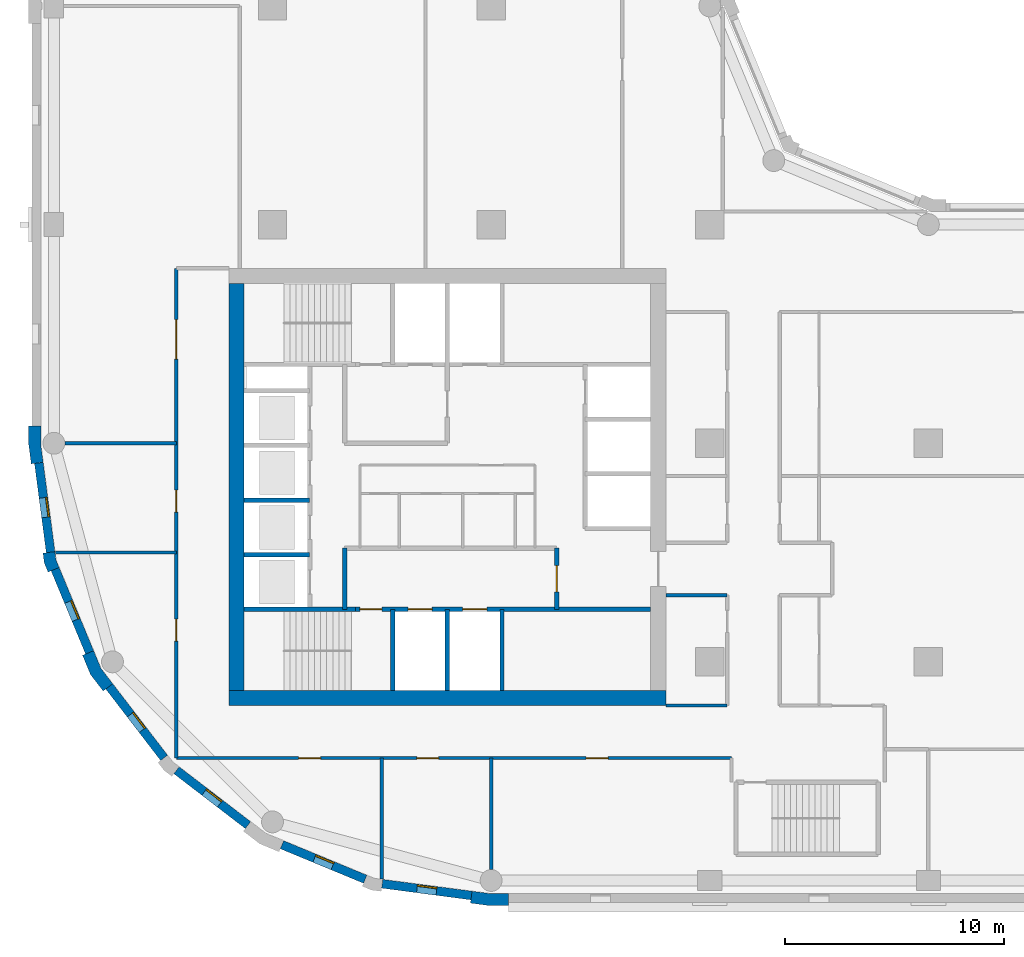
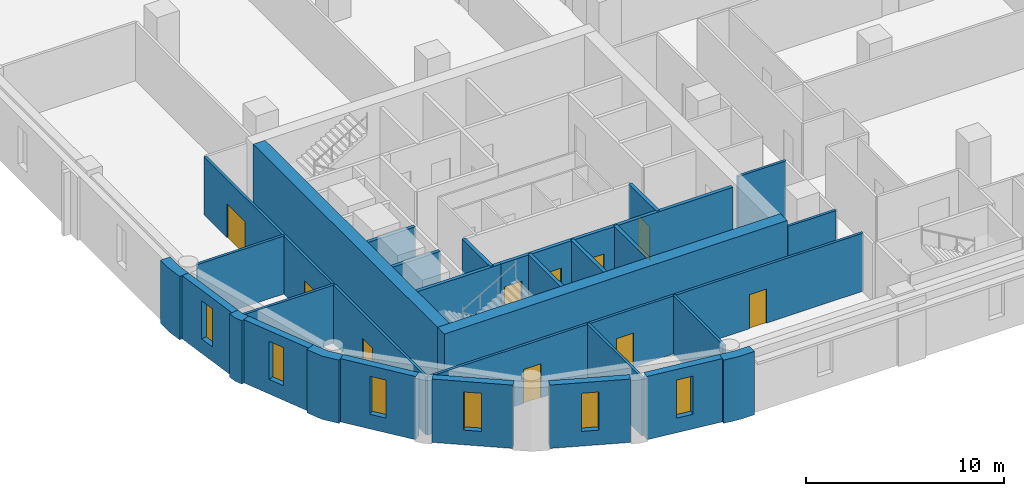
# One storey, part 2 of 9: 29 walls, 10 doors, 6 windows, 16 openings.
"""IFC4 building model written with IfcOpenShell, lengths in metres."""

from ifc_helpers import new_model, si_unit, direction, frame, frame_2d, origin, place, context, subcontext, project, spatial, polyline, rectangle, outline, extrude, material, layer, layer_set, type_object, element, fill, save


model = new_model("IFC4")

# Units and contexts
model_context = context("Model", 3, precision=1e-05, world=origin(), true_north=direction((0.0, 1.0)))
body_context = subcontext(model_context, "Body", "Model", "MODEL_VIEW")
ifc_project = project(units=[si_unit("LENGTHUNIT", "METRE"), si_unit("AREAUNIT", "SQUARE_METRE"), si_unit("VOLUMEUNIT", "CUBIC_METRE"), si_unit("PLANEANGLEUNIT", "RADIAN"), si_unit("MASSUNIT", "GRAM", prefix="KILO")], contexts=[model_context])

# Site, building, storey
site_placement = place(None, origin())
site = spatial("IfcSite", under=ifc_project, at=site_placement, CompositionType="ELEMENT")
building_placement = place(site_placement, origin())
building = spatial("IfcBuilding", under=site, at=building_placement, Name="Qaws Garden Tower", CompositionType="ELEMENT")
storey_placement = place(building_placement, frame((0.0, 0.0, 170.699951171875)))
storey = spatial("IfcBuildingStorey", under=building, at=storey_placement, Name="L41", CompositionType="ELEMENT", Elevation=170.699951171875)

# Wall, opening, window
ifc_material_1 = material(Name="Clay facing brick masonry", Category="masonry")
ifc_layer_1 = layer(ifc_material_1, 0.39990234375)
ifc_layer_set_1 = layer_set([ifc_layer_1], Name="Clay facing brick masonry")
wall_type_1 = type_object("IfcWallType", Name="Brick infill wall 400", PredefinedType="SOLIDWALL", material=ifc_layer_set_1)
wall_1_placement = place(storey_placement, frame((-0.688720703125, 19.102294921875, 0.0), z_axis=(0.0, 0.0, 1.0), x_axis=(0.130514280502, -0.991446429508, 0.0)))
wall_1 = element("IfcWall", 1, at=wall_1_placement, inside=storey, type_object=wall_type_1, Name="E-L41-infill-25", PredefinedType="SOLIDWALL", context=body_context, shape_type="SweptSolid", body=[
    extrude(rectangle(XDim=4.120849609375, YDim=0.39990234375, at=frame_2d((2.060546875, 0.0))), origin(), (0.0, 0.0, 1.0), 3.900146484375),
])
opening_1_placement = place(wall_1_placement, frame((1.610595703125, 0.0, 0.89990234375)))
opening_1 = element("IfcOpeningElement", 2, at=opening_1_placement, cuts=wall_1, Name="Opening W09", PredefinedType="OPENING", context=body_context, shape_type="SweptSolid", body=[
    extrude(rectangle(XDim=0.89990234375, YDim=2.35009765625, at=frame_2d((0.449951171875, 1.175048828125))), frame((0.0, 0.2099609375, 0.0), z_axis=(0.0, -1.0, 0.0), x_axis=(1.0, 0.0, 0.0)), (0.0, 0.0, 1.0), 0.419921875),
])
ifc_material_2 = material(Name="Aluminium framed window, clear glazing", Category="aluminium")
window_type = type_object("IfcWindowType", Name="Slit window 900 x 2350", PartitioningType="SINGLE_PANEL", PredefinedType="WINDOW", material=ifc_material_2)
window_1_placement = place(opening_1_placement, origin())
window_1 = element("IfcWindow", 3, at=window_1_placement, inside=storey, type_object=window_type, Name="E-L41-window-25-0", OverallHeight=2.35009765625, OverallWidth=0.89990234375, PartitioningType="SINGLE_PANEL", PredefinedType="WINDOW", context=body_context, shape_type="SweptSolid", body=[
    extrude(rectangle(XDim=0.89990234375, YDim=2.35009765625, at=frame_2d((0.449951171875, 1.175048828125))), frame((0.0, 0.159912109375, 0.0), z_axis=(0.0, -1.0, 0.0), x_axis=(1.0, 0.0, 0.0)), (0.0, 0.0, 1.0), 0.06005859375),
])
fill(opening_1, window_1)

wall_2_placement = place(storey_placement, frame((0.05712890625, 14.240234375, 0.0), z_axis=(0.0, 0.0, 1.0), x_axis=(0.382721546029, -0.923863744394, 0.0)))
wall_2 = element("IfcWall", 4, at=wall_2_placement, inside=storey, type_object=wall_type_1, Name="E-L41-infill-26", PredefinedType="SOLIDWALL", context=body_context, shape_type="SweptSolid", body=[
    extrude(rectangle(XDim=4.120849609375, YDim=0.39990234375, at=frame_2d((2.060546875, 0.0))), origin(), (0.0, 0.0, 1.0), 3.900146484375),
])
opening_2_placement = place(wall_2_placement, frame((1.610595703125, 0.0, 0.89990234375)))
opening_2 = element("IfcOpeningElement", 5, at=opening_2_placement, cuts=wall_2, Name="Opening W09", PredefinedType="OPENING", context=body_context, shape_type="SweptSolid", body=[
    extrude(rectangle(XDim=0.89990234375, YDim=2.35009765625, at=frame_2d((0.449951171875, 1.175048828125))), frame((0.0, 0.2099609375, 0.0), z_axis=(0.0, -1.0, 0.0), x_axis=(1.0, 0.0, 0.0)), (0.0, 0.0, 1.0), 0.419921875),
])
window_2_placement = place(opening_2_placement, origin())
window_2 = element("IfcWindow", 6, at=window_2_placement, inside=storey, type_object=window_type, Name="E-L41-window-26-0", OverallHeight=2.35009765625, OverallWidth=0.89990234375, PartitioningType="SINGLE_PANEL", PredefinedType="WINDOW", context=body_context, shape_type="SweptSolid", body=[
    extrude(rectangle(XDim=0.89990234375, YDim=2.35009765625, at=frame_2d((0.449951171875, 1.175048828125))), frame((0.0, 0.159912109375, 0.0), z_axis=(0.0, -1.0, 0.0), x_axis=(1.0, 0.0, 0.0)), (0.0, 0.0, 1.0), 0.06005859375),
])
fill(opening_2, window_2)

wall_3_placement = place(storey_placement, frame((2.53173828125, 8.87841796875, 0.0), z_axis=(0.0, 0.0, 1.0), x_axis=(0.608759824817, -0.793354571229, 0.0)))
wall_3 = element("IfcWall", 7, at=wall_3_placement, inside=storey, type_object=wall_type_1, Name="E-L41-infill-27", PredefinedType="SOLIDWALL", context=body_context, shape_type="SweptSolid", body=[
    extrude(rectangle(XDim=4.12109375, YDim=0.39990234375, at=frame_2d((2.060546875, 0.0))), origin(), (0.0, 0.0, 1.0), 3.900146484375),
])
opening_3_placement = place(wall_3_placement, frame((1.610595703125, 0.0, 0.89990234375)))
opening_3 = element("IfcOpeningElement", 8, at=opening_3_placement, cuts=wall_3, Name="Opening W09", PredefinedType="OPENING", context=body_context, shape_type="SweptSolid", body=[
    extrude(rectangle(XDim=0.89990234375, YDim=2.35009765625, at=frame_2d((0.449951171875, 1.175048828125))), frame((0.0, 0.2099609375, 0.0), z_axis=(0.0, -1.0, 0.0), x_axis=(1.0, 0.0, 0.0)), (0.0, 0.0, 1.0), 0.419921875),
])
window_3_placement = place(opening_3_placement, origin())
window_3 = element("IfcWindow", 9, at=window_3_placement, inside=storey, type_object=window_type, Name="E-L41-window-27-0", OverallHeight=2.35009765625, OverallWidth=0.89990234375, PartitioningType="SINGLE_PANEL", PredefinedType="WINDOW", context=body_context, shape_type="SweptSolid", body=[
    extrude(rectangle(XDim=0.89990234375, YDim=2.35009765625, at=frame_2d((0.449951171875, 1.175048828125))), frame((0.0, 0.159912109375, 0.0), z_axis=(0.0, -1.0, 0.0), x_axis=(1.0, 0.0, 0.0)), (0.0, 0.0, 1.0), 0.06005859375),
])
fill(opening_3, window_3)

wall_4_placement = place(storey_placement, frame((5.60888671875, 5.04052734375, 0.0), z_axis=(0.0, 0.0, 1.0), x_axis=(0.793354571229, -0.608759824817, 0.0)))
wall_4 = element("IfcWall", 10, at=wall_4_placement, inside=storey, type_object=wall_type_1, Name="E-L41-infill-28", PredefinedType="SOLIDWALL", context=body_context, shape_type="SweptSolid", body=[
    extrude(rectangle(XDim=4.12109375, YDim=0.39990234375, at=frame_2d((2.060546875, 0.0))), origin(), (0.0, 0.0, 1.0), 3.900146484375),
])
opening_4_placement = place(wall_4_placement, frame((1.610595703125, 0.0, 0.89990234375)))
opening_4 = element("IfcOpeningElement", 11, at=opening_4_placement, cuts=wall_4, Name="Opening W09", PredefinedType="OPENING", context=body_context, shape_type="SweptSolid", body=[
    extrude(rectangle(XDim=0.89990234375, YDim=2.35009765625, at=frame_2d((0.449951171875, 1.175048828125))), frame((0.0, 0.2099609375, 0.0), z_axis=(0.0, -1.0, 0.0), x_axis=(1.0, 0.0, 0.0)), (0.0, 0.0, 1.0), 0.419921875),
])
window_4_placement = place(opening_4_placement, origin())
window_4 = element("IfcWindow", 12, at=window_4_placement, inside=storey, type_object=window_type, Name="E-L41-window-28-0", OverallHeight=2.35009765625, OverallWidth=0.89990234375, PartitioningType="SINGLE_PANEL", PredefinedType="WINDOW", context=body_context, shape_type="SweptSolid", body=[
    extrude(rectangle(XDim=0.89990234375, YDim=2.35009765625, at=frame_2d((0.449951171875, 1.175048828125))), frame((0.0, 0.159912109375, 0.0), z_axis=(0.0, -1.0, 0.0), x_axis=(1.0, 0.0, 0.0)), (0.0, 0.0, 1.0), 0.06005859375),
])
fill(opening_4, window_4)

wall_5_placement = place(storey_placement, frame((10.43310546875, 1.63427734375, 0.0), z_axis=(0.0, 0.0, 1.0), x_axis=(0.923863744394, -0.382721546029, 0.0)))
wall_5 = element("IfcWall", 13, at=wall_5_placement, inside=storey, type_object=wall_type_1, Name="E-L41-infill-29", PredefinedType="SOLIDWALL", context=body_context, shape_type="SweptSolid", body=[
    extrude(rectangle(XDim=4.120849609375, YDim=0.39990234375, at=frame_2d((2.060546875, 0.0))), origin(), (0.0, 0.0, 1.0), 3.900146484375),
])
opening_5_placement = place(wall_5_placement, frame((1.610595703125, 0.0, 0.89990234375)))
opening_5 = element("IfcOpeningElement", 14, at=opening_5_placement, cuts=wall_5, Name="Opening W09", PredefinedType="OPENING", context=body_context, shape_type="SweptSolid", body=[
    extrude(rectangle(XDim=0.89990234375, YDim=2.35009765625, at=frame_2d((0.449951171875, 1.175048828125))), frame((0.0, 0.2099609375, 0.0), z_axis=(0.0, -1.0, 0.0), x_axis=(1.0, 0.0, 0.0)), (0.0, 0.0, 1.0), 0.419921875),
])
window_5_placement = place(opening_5_placement, origin())
window_5 = element("IfcWindow", 15, at=window_5_placement, inside=storey, type_object=window_type, Name="E-L41-window-29-0", OverallHeight=2.35009765625, OverallWidth=0.89990234375, PartitioningType="SINGLE_PANEL", PredefinedType="WINDOW", context=body_context, shape_type="SweptSolid", body=[
    extrude(rectangle(XDim=0.89990234375, YDim=2.35009765625, at=frame_2d((0.449951171875, 1.175048828125))), frame((0.0, 0.159912109375, 0.0), z_axis=(0.0, -1.0, 0.0), x_axis=(1.0, 0.0, 0.0)), (0.0, 0.0, 1.0), 0.06005859375),
])
fill(opening_5, window_5)

wall_6_placement = place(storey_placement, frame((15.0166015625, -0.15087890625, 0.0), z_axis=(0.0, 0.0, 1.0), x_axis=(0.991446429508, -0.130514280502, 0.0)))
wall_6 = element("IfcWall", 16, at=wall_6_placement, inside=storey, type_object=wall_type_1, Name="E-L41-infill-30", PredefinedType="SOLIDWALL", context=body_context, shape_type="SweptSolid", body=[
    extrude(rectangle(XDim=4.120849609375, YDim=0.39990234375, at=frame_2d((2.060546875, 0.0))), origin(), (0.0, 0.0, 1.0), 3.900146484375),
])
opening_6_placement = place(wall_6_placement, frame((1.610595703125, 0.0, 0.89990234375)))
opening_6 = element("IfcOpeningElement", 17, at=opening_6_placement, cuts=wall_6, Name="Opening W09", PredefinedType="OPENING", context=body_context, shape_type="SweptSolid", body=[
    extrude(rectangle(XDim=0.89990234375, YDim=2.35009765625, at=frame_2d((0.449951171875, 1.175048828125))), frame((0.0, 0.2099609375, 0.0), z_axis=(0.0, -1.0, 0.0), x_axis=(1.0, 0.0, 0.0)), (0.0, 0.0, 1.0), 0.419921875),
])
window_6_placement = place(opening_6_placement, origin())
window_6 = element("IfcWindow", 18, at=window_6_placement, inside=storey, type_object=window_type, Name="E-L41-window-30-0", OverallHeight=2.35009765625, OverallWidth=0.89990234375, PartitioningType="SINGLE_PANEL", PredefinedType="WINDOW", context=body_context, shape_type="SweptSolid", body=[
    extrude(rectangle(XDim=0.89990234375, YDim=2.35009765625, at=frame_2d((0.449951171875, 1.175048828125))), frame((0.0, 0.159912109375, 0.0), z_axis=(0.0, -1.0, 0.0), x_axis=(1.0, 0.0, 0.0)), (0.0, 0.0, 1.0), 0.06005859375),
])
fill(opening_6, window_6)

# Walls
ifc_material_3 = material(Name="Clay facing brick masonry", Category="masonry")
ifc_layer_2 = layer(ifc_material_3, 0.550048828125)
ifc_layer_set_2 = layer_set([ifc_layer_2], Name="Clay facing brick masonry")
wall_type_2 = type_object("IfcWallType", Name="Brick kink pier 550 x 600", PredefinedType="SOLIDWALL", material=ifc_layer_set_2)
placement = place(storey_placement, origin())
element("IfcWall", 19, at=placement, inside=storey, type_object=wall_type_2, Name="E-L41-pier-26", PredefinedType="SOLIDWALL", context=body_context, shape_type="SweptSolid", body=[
    extrude(outline(polyline([(-0.34912109375, 14.990478515625), (-0.497802734375, 14.970947265625), (-0.43896484375, 14.5234375), (-0.26611328125, 14.1064453125), (-0.127685546875, 14.163818359375), (0.241943359375, 14.31689453125), (0.096923828125, 14.6669921875), (0.04736328125, 15.042724609375), (-0.34912109375, 14.990478515625)])), origin(), (0.0, 0.0, 1.0), 3.900146484375),
])
ifc_material_4 = material(Name="Clay facing brick masonry", Category="masonry")
ifc_layer_3 = layer(ifc_material_4, 0.550048828125)
ifc_layer_set_3 = layer_set([ifc_layer_3], Name="Clay facing brick masonry")
wall_type_3 = type_object("IfcWallType", Name="Brick pier 550 x 1600", PredefinedType="SOLIDWALL", material=ifc_layer_set_3)
element("IfcWall", 20, at=placement, inside=storey, type_object=wall_type_3, Name="E-L41-pier-00", PredefinedType="SOLIDWALL", context=body_context, shape_type="SweptSolid", body=[
    extrude(outline(polyline([(19.076416015625, -0.886962890625), (19.056640625, -1.03564453125), (19.924560546875, -1.14990234375), (20.800048828125, -1.14990234375), (20.800048828125, -1.0), (20.800048828125, -0.60009765625), (19.960693359375, -0.60009765625), (19.12841796875, -0.490478515625), (19.076416015625, -0.886962890625)])), origin(), (0.0, 0.0, 1.0), 3.900146484375),
])
element("IfcWall", 21, at=placement, inside=storey, type_object=wall_type_3, Name="E-L41-pier-25", PredefinedType="SOLIDWALL", context=body_context, shape_type="SweptSolid", body=[
    extrude(outline(polyline([(-1.0, 20.800048828125), (-1.14990234375, 20.800048828125), (-1.14990234375, 19.924560546875), (-1.03564453125, 19.056640625), (-0.886962890625, 19.076416015625), (-0.490478515625, 19.12841796875), (-0.60009765625, 19.960693359375), (-0.60009765625, 20.800048828125), (-1.0, 20.800048828125)])), origin(), (0.0, 0.0, 1.0), 3.900146484375),
])
element("IfcWall", 22, at=placement, inside=storey, type_object=wall_type_3, Name="E-L41-pier-27", PredefinedType="SOLIDWALL", context=body_context, shape_type="SweptSolid", body=[
    extrude(outline(polyline([(1.449462890625, 10.3564453125), (1.310791015625, 10.299072265625), (1.675048828125, 9.419921875), (2.254150390625, 8.665283203125), (2.373046875, 8.756591796875), (2.6904296875, 9.0), (2.1552734375, 9.697509765625), (1.819091796875, 10.509521484375), (1.449462890625, 10.3564453125)])), origin(), (0.0, 0.0, 1.0), 3.900146484375),
])
ifc_material_5 = material(Name="Concrete C70", Category="concrete")
ifc_layer_4 = layer(ifc_material_5, 0.199951171875)
ifc_layer_set_4 = layer_set([ifc_layer_4], Name="Concrete C70")
wall_type_4 = type_object("IfcWallType", Name="Core shaft wall 200 C70", PredefinedType="SHEAR", material=ifc_layer_set_4)
wall_11_placement = place(storey_placement, frame((8.699951171875, 12.39990234375, 0.0), z_axis=(0.0, 0.0, 1.0), x_axis=(1.0, 0.0, 0.0)))
element("IfcWall", 23, at=wall_11_placement, inside=storey, type_object=wall_type_4, Name="Shaft wall", PredefinedType="SHEAR", context=body_context, shape_type="SweptSolid", body=[
    extrude(rectangle(XDim=5.10009765625, YDim=0.199951171875, at=frame_2d((2.550048828125, 0.0))), origin(), (0.0, 0.0, 1.0), 3.580078125),
])

# Wall, openings, doors
wall_12_placement = place(storey_placement, frame((13.800048828125, 12.39990234375, 0.0), z_axis=(0.0, 0.0, 1.0), x_axis=(1.0, 0.0, 0.0)))
wall_12 = element("IfcWall", 24, at=wall_12_placement, inside=storey, type_object=wall_type_4, Name="Shaft wall", PredefinedType="SHEAR", context=body_context, shape_type="SweptSolid", body=[
    extrude(rectangle(XDim=13.5, YDim=0.199951171875, at=frame_2d((6.75, 0.0))), origin(), (0.0, 0.0, 1.0), 3.580078125),
])
opening_7_placement = place(wall_12_placement, frame((2.39990234375, 0.0, 0.0)))
opening_7 = element("IfcOpeningElement", 25, at=opening_7_placement, cuts=wall_12, Name="Opening LD06", PredefinedType="OPENING", context=body_context, shape_type="SweptSolid", body=[
    extrude(rectangle(XDim=1.10009765625, YDim=2.10009765625, at=frame_2d((0.550048828125, 1.050048828125))), frame((0.0, 0.10986328125, 0.0), z_axis=(0.0, -1.0, 0.0), x_axis=(1.0, 0.0, 0.0)), (0.0, 0.0, 1.0), 0.219970703125),
])
opening_8_placement = place(wall_12_placement, frame((4.89990234375, 0.0, 0.0)))
opening_8 = element("IfcOpeningElement", 26, at=opening_8_placement, cuts=wall_12, Name="Opening LD07", PredefinedType="OPENING", context=body_context, shape_type="SweptSolid", body=[
    extrude(rectangle(XDim=1.10009765625, YDim=2.10009765625, at=frame_2d((0.550048828125, 1.050048828125))), frame((0.0, 0.10986328125, 0.0), z_axis=(0.0, -1.0, 0.0), x_axis=(1.0, 0.0, 0.0)), (0.0, 0.0, 1.0), 0.219970703125),
])
opening_9_placement = place(wall_12_placement, frame((0.199951171875, 0.0, 0.0)))
opening_9 = element("IfcOpeningElement", 27, at=opening_9_placement, cuts=wall_12, Name="Opening SD10", PredefinedType="OPENING", context=body_context, shape_type="SweptSolid", body=[
    extrude(rectangle(XDim=1.0, YDim=2.10009765625, at=frame_2d((0.5, 1.050048828125))), frame((0.0, 0.10986328125, 0.0), z_axis=(0.0, -1.0, 0.0), x_axis=(1.0, 0.0, 0.0)), (0.0, 0.0, 1.0), 0.219970703125),
])
ifc_material_6 = material(Name="Steel S235", Category="steel")
door_type_1 = type_object("IfcDoorType", Name="Landing door 1100x2100", OperationType="DOUBLE_DOOR_SLIDING", PredefinedType="DOOR", material=ifc_material_6)
door_1_placement = place(opening_7_placement, origin())
door_1 = element("IfcDoor", 28, at=door_1_placement, inside=storey, type_object=door_type_1, Name="Lift FF1 landing door", OperationType="DOUBLE_DOOR_SLIDING", OverallHeight=2.10009765625, OverallWidth=1.10009765625, PredefinedType="DOOR", context=body_context, shape_type="SweptSolid", body=[
    extrude(rectangle(XDim=1.10009765625, YDim=2.10009765625, at=frame_2d((0.550048828125, 1.050048828125))), frame((0.0, 0.02490234375, 0.0), z_axis=(0.0, -1.0, 0.0), x_axis=(1.0, 0.0, 0.0)), (0.0, 0.0, 1.0), 0.050048828125),
])
fill(opening_7, door_1)
door_2_placement = place(opening_8_placement, origin())
door_2 = element("IfcDoor", 29, at=door_2_placement, inside=storey, type_object=door_type_1, Name="Lift FF2 landing door", OperationType="DOUBLE_DOOR_SLIDING", OverallHeight=2.10009765625, OverallWidth=1.10009765625, PredefinedType="DOOR", context=body_context, shape_type="SweptSolid", body=[
    extrude(rectangle(XDim=1.10009765625, YDim=2.10009765625, at=frame_2d((0.550048828125, 1.050048828125))), frame((0.0, 0.02490234375, 0.0), z_axis=(0.0, -1.0, 0.0), x_axis=(1.0, 0.0, 0.0)), (0.0, 0.0, 1.0), 0.050048828125),
])
fill(opening_8, door_2)
ifc_material_7 = material(Name="Steel S235", Category="steel")
door_type_2 = type_object("IfcDoorType", Name="Stair door 1000x2100", OperationType="SINGLE_SWING_RIGHT", PredefinedType="DOOR", material=ifc_material_7)
door_3_placement = place(opening_9_placement, frame((1.0, 0.0, 0.0), z_axis=(0.0, 0.0, 1.0), x_axis=(-1.0, 0.0, 0.0)))
door_3 = element("IfcDoor", 30, at=door_3_placement, inside=storey, type_object=door_type_2, Name="Stair 1 door", OperationType="SINGLE_SWING_LEFT", OverallHeight=2.10009765625, OverallWidth=1.0, PredefinedType="DOOR", context=body_context, shape_type="SweptSolid", body=[
    extrude(rectangle(XDim=1.0, YDim=2.10009765625, at=frame_2d((0.5, 1.050048828125))), frame((0.0, 0.02490234375, 0.0), z_axis=(0.0, -1.0, 0.0), x_axis=(1.0, 0.0, 0.0)), (0.0, 0.0, 1.0), 0.050048828125),
])
fill(opening_9, door_3)

# Walls
for number, where, z_axis, x_axis, name in (
    (31, (8.699951171875, 14.89990234375, 0.0), (0.0, 0.0, 1.0), (1.0, 0.0, 0.0), "Shaft wall"),
    (32, (8.699951171875, 17.39990234375, 0.0), (0.0, 0.0, 1.0), (1.0, 0.0, 0.0), "Shaft wall"),
):
    element("IfcWall", number, at=place(storey_placement, frame(where, z_axis=z_axis, x_axis=x_axis)), inside=storey, type_object=wall_type_4, Name=name, PredefinedType="SHEAR", context=body_context, shape_type="SweptSolid", body=[
        extrude(rectangle(XDim=3.0, YDim=0.199951171875, at=frame_2d((1.5, 0.0))), origin(), (0.0, 0.0, 1.0), 3.580078125),
    ])
wall_13_placement = place(storey_placement, frame((13.300048828125, 12.39990234375, 0.0), z_axis=(0.0, 0.0, 1.0), x_axis=(0.0, 1.0, 0.0)))
element("IfcWall", 33, at=wall_13_placement, inside=storey, type_object=wall_type_4, Name="Shaft wall", PredefinedType="SHEAR", context=body_context, shape_type="SweptSolid", body=[
    extrude(rectangle(XDim=2.800048828125, YDim=0.199951171875, at=frame_2d((1.39990234375, 0.0))), origin(), (0.0, 0.0, 1.0), 3.580078125),
])
for number, where, z_axis, x_axis, name in (
    (34, (15.5, 8.699951171875, 0.0), (0.0, 0.0, 1.0), (0.0, 1.0, 0.0), "Shaft wall"),
    (35, (18.0, 8.699951171875, 0.0), (0.0, 0.0, 1.0), (0.0, 1.0, 0.0), "Shaft wall"),
    (36, (20.5, 8.699951171875, 0.0), (0.0, 0.0, 1.0), (0.0, 1.0, 0.0), "Shaft wall"),
):
    element("IfcWall", number, at=place(storey_placement, frame(where, z_axis=z_axis, x_axis=x_axis)), inside=storey, type_object=wall_type_4, Name=name, PredefinedType="SHEAR", context=body_context, shape_type="SweptSolid", body=[
        extrude(rectangle(XDim=3.699951171875, YDim=0.199951171875, at=frame_2d((1.85009765625, 0.0))), origin(), (0.0, 0.0, 1.0), 3.580078125),
    ])

# Wall, opening, door
wall_14_placement = place(storey_placement, frame((23.0, 12.39990234375, 0.0), z_axis=(0.0, 0.0, 1.0), x_axis=(0.0, 1.0, 0.0)))
wall_14 = element("IfcWall", 37, at=wall_14_placement, inside=storey, type_object=wall_type_4, Name="Shaft wall", PredefinedType="SHEAR", context=body_context, shape_type="SweptSolid", body=[
    extrude(rectangle(XDim=2.800048828125, YDim=0.199951171875, at=frame_2d((1.39990234375, 0.0))), origin(), (0.0, 0.0, 1.0), 3.580078125),
])
opening_10_placement = place(wall_14_placement, frame((0.800048828125, 0.0, 0.0)))
opening_10 = element("IfcOpeningElement", 38, at=opening_10_placement, cuts=wall_14, Name="Opening FD15", PredefinedType="OPENING", context=body_context, shape_type="SweptSolid", body=[
    extrude(rectangle(XDim=1.199951171875, YDim=2.10009765625, at=frame_2d((0.60009765625, 1.050048828125))), frame((0.0, 0.10986328125, 0.0), z_axis=(0.0, -1.0, 0.0), x_axis=(1.0, 0.0, 0.0)), (0.0, 0.0, 1.0), 0.219970703125),
])
ifc_material_8 = material(Name="Steel S235", Category="steel")
door_type_3 = type_object("IfcDoorType", Name="Lobby door 1200x2100", OperationType="DOUBLE_DOOR_SINGLE_SWING", PredefinedType="DOOR", material=ifc_material_8)
door_4_placement = place(opening_10_placement, origin())
door_4 = element("IfcDoor", 39, at=door_4_placement, inside=storey, type_object=door_type_3, Name="Fire-fighting lobby door", OperationType="DOUBLE_DOOR_SINGLE_SWING", OverallHeight=2.10009765625, OverallWidth=1.199951171875, PredefinedType="DOOR", context=body_context, shape_type="SweptSolid", body=[
    extrude(rectangle(XDim=1.199951171875, YDim=2.10009765625, at=frame_2d((0.60009765625, 1.050048828125))), frame((0.0, 0.02490234375, 0.0), z_axis=(0.0, -1.0, 0.0), x_axis=(1.0, 0.0, 0.0)), (0.0, 0.0, 1.0), 0.050048828125),
])
fill(opening_10, door_4)

# Walls
ifc_material_9 = material(Name="Concrete C70", Category="concrete")
ifc_layer_5 = layer(ifc_material_9, 0.699951171875)
ifc_layer_set_5 = layer_set([ifc_layer_5], Name="Concrete C70")
wall_type_5 = type_object("IfcWallType", Name="Core wall 700 C70", PredefinedType="SHEAR", material=ifc_layer_set_5)
wall_15_placement = place(storey_placement, frame((8.0, 8.35009765625, 0.0), z_axis=(0.0, 0.0, 1.0), x_axis=(1.0, 0.0, 0.0)))
element("IfcWall", 40, at=wall_15_placement, inside=storey, type_object=wall_type_5, Name="Core wall L41 south", PredefinedType="SHEAR", context=body_context, shape_type="SweptSolid", body=[
    extrude(rectangle(XDim=20.0, YDim=0.699951171875, at=frame_2d((10.0, 0.0))), origin(), (0.0, 0.0, 1.0), 3.900146484375),
])
wall_16_placement = place(storey_placement, frame((8.35009765625, 27.300048828125, 0.0), z_axis=(0.0, 0.0, 1.0), x_axis=(0.0, -1.0, 0.0)))
element("IfcWall", 41, at=wall_16_placement, inside=storey, type_object=wall_type_5, Name="Core wall L41 west", PredefinedType="SHEAR", context=body_context, shape_type="SweptSolid", body=[
    extrude(rectangle(XDim=18.60009765625, YDim=0.699951171875, at=frame_2d((9.300048828125, 0.0))), origin(), (0.0, 0.0, 1.0), 3.900146484375),
])

# Wall, openings, doors
ifc_material_10 = material(Name="Gypsum board partition")
ifc_layer_6 = layer(ifc_material_10, 0.14990234375)
ifc_layer_set_6 = layer_set([ifc_layer_6], Name="Gypsum board partition")
wall_type_6 = type_object("IfcWallType", Name="PARTITION 150 EI 60", PredefinedType="PARTITIONING", material=ifc_layer_set_6)
wall_17_placement = place(storey_placement, frame((5.60009765625, 5.60009765625, 0.0), z_axis=(0.0, 0.0, 1.0), x_axis=(0.0, 1.0, 0.0)))
wall_17 = element("IfcWall", 42, at=wall_17_placement, inside=storey, type_object=wall_type_6, Name="O-L41-wall-006", PredefinedType="PARTITIONING", context=body_context, shape_type="SweptSolid", body=[
    extrude(rectangle(XDim=22.39990234375, YDim=0.14990234375, at=frame_2d((11.199951171875, 0.0))), origin(), (0.0, 0.0, 1.0), 3.580078125),
])
opening_11_placement = place(wall_17_placement, frame((5.35009765625, 0.0, 0.0)))
opening_11 = element("IfcOpeningElement", 43, at=opening_11_placement, cuts=wall_17, Name="Opening B401", PredefinedType="OPENING", context=body_context, shape_type="SweptSolid", body=[
    extrude(rectangle(XDim=1.0, YDim=2.10009765625, at=frame_2d((0.5, 1.050048828125))), frame((0.0, 0.0849609375, 0.0), z_axis=(0.0, -1.0, 0.0), x_axis=(1.0, 0.0, 0.0)), (0.0, 0.0, 1.0), 0.169921875),
])
opening_12_placement = place(wall_17_placement, frame((11.25, 0.0, 0.0)))
opening_12 = element("IfcOpeningElement", 44, at=opening_12_placement, cuts=wall_17, Name="Opening B402", PredefinedType="OPENING", context=body_context, shape_type="SweptSolid", body=[
    extrude(rectangle(XDim=1.0, YDim=2.10009765625, at=frame_2d((0.5, 1.050048828125))), frame((0.0, 0.0849609375, 0.0), z_axis=(0.0, -1.0, 0.0), x_axis=(1.0, 0.0, 0.0)), (0.0, 0.0, 1.0), 0.169921875),
])
opening_13_placement = place(wall_17_placement, frame((18.25, 0.0, 0.0)))
opening_13 = element("IfcOpeningElement", 45, at=opening_13_placement, cuts=wall_17, Name="Opening B410", PredefinedType="OPENING", context=body_context, shape_type="SweptSolid", body=[
    extrude(rectangle(XDim=1.800048828125, YDim=2.10009765625, at=frame_2d((0.89990234375, 1.050048828125))), frame((0.0, 0.0849609375, 0.0), z_axis=(0.0, -1.0, 0.0), x_axis=(1.0, 0.0, 0.0)), (0.0, 0.0, 1.0), 0.169921875),
])
ifc_material_11 = material(Name="Timber door leaf", Category="wood")
door_type_4 = type_object("IfcDoorType", Name="DOUBLE DOOR 1800 X 2100", OperationType="DOUBLE_DOOR_SINGLE_SWING", PredefinedType="DOOR", material=ifc_material_11)
door_5_placement = place(opening_13_placement, origin())
door_5 = element("IfcDoor", 46, at=door_5_placement, inside=storey, type_object=door_type_4, Name="O-L41-door-010", OperationType="DOUBLE_DOOR_SINGLE_SWING", OverallHeight=2.10009765625, OverallWidth=1.800048828125, PredefinedType="DOOR", context=body_context, shape_type="SweptSolid", body=[
    extrude(rectangle(XDim=1.800048828125, YDim=2.10009765625, at=frame_2d((0.89990234375, 1.050048828125))), frame((0.0, 0.02490234375, 0.0), z_axis=(0.0, -1.0, 0.0), x_axis=(1.0, 0.0, 0.0)), (0.0, 0.0, 1.0), 0.050048828125),
])
fill(opening_13, door_5)
ifc_material_12 = material(Name="Timber door leaf", Category="wood")
door_type_5 = type_object("IfcDoorType", Name="TENANCY ENTRANCE DOOR 1000 X 2100", OperationType="SINGLE_SWING_LEFT", PredefinedType="DOOR", material=ifc_material_12)
door_6_placement = place(opening_11_placement, origin())
door_6 = element("IfcDoor", 47, at=door_6_placement, inside=storey, type_object=door_type_5, Name="O-L41-door-001", OperationType="SINGLE_SWING_RIGHT", OverallHeight=2.10009765625, OverallWidth=1.0, PredefinedType="DOOR", context=body_context, shape_type="SweptSolid", body=[
    extrude(rectangle(XDim=1.0, YDim=2.10009765625, at=frame_2d((0.5, 1.050048828125))), frame((0.0, 0.02490234375, 0.0), z_axis=(0.0, -1.0, 0.0), x_axis=(1.0, 0.0, 0.0)), (0.0, 0.0, 1.0), 0.050048828125),
])
fill(opening_11, door_6)
door_7_placement = place(opening_12_placement, origin())
door_7 = element("IfcDoor", 48, at=door_7_placement, inside=storey, type_object=door_type_5, Name="O-L41-door-002", OperationType="SINGLE_SWING_RIGHT", OverallHeight=2.10009765625, OverallWidth=1.0, PredefinedType="DOOR", context=body_context, shape_type="SweptSolid", body=[
    extrude(rectangle(XDim=1.0, YDim=2.10009765625, at=frame_2d((0.5, 1.050048828125))), frame((0.0, 0.02490234375, 0.0), z_axis=(0.0, -1.0, 0.0), x_axis=(1.0, 0.0, 0.0)), (0.0, 0.0, 1.0), 0.050048828125),
])
fill(opening_12, door_7)

# Walls
wall_18_placement = place(storey_placement, frame((15.0, 0.06298828125, 0.0), z_axis=(0.0, 0.0, 1.0), x_axis=(0.0, 1.0, 0.0)))
element("IfcWall", 49, at=wall_18_placement, inside=storey, type_object=wall_type_6, Name="O-L41-wall-010", PredefinedType="PARTITIONING", context=body_context, shape_type="SweptSolid", body=[
    extrude(rectangle(XDim=5.537109375, YDim=0.14990234375, at=frame_2d((2.7685546875, 0.0))), origin(), (0.0, 0.0, 1.0), 3.580078125),
])
wall_19_placement = place(storey_placement, frame((20.0, 0.5, 0.0), z_axis=(0.0, 0.0, 1.0), x_axis=(0.0, 1.0, 0.0)))
element("IfcWall", 50, at=wall_19_placement, inside=storey, type_object=wall_type_6, Name="O-L41-wall-013", PredefinedType="PARTITIONING", context=body_context, shape_type="SweptSolid", body=[
    extrude(rectangle(XDim=5.10009765625, YDim=0.14990234375, at=frame_2d((2.550048828125, 0.0))), origin(), (0.0, 0.0, 1.0), 3.580078125),
])

# Wall, openings, doors
wall_20_placement = place(storey_placement, frame((5.60009765625, 5.60009765625, 0.0), z_axis=(0.0, 0.0, 1.0), x_axis=(1.0, 0.0, 0.0)))
wall_20 = element("IfcWall", 51, at=wall_20_placement, inside=storey, type_object=wall_type_6, Name="O-L41-wall-029", PredefinedType="PARTITIONING", context=body_context, shape_type="SweptSolid", body=[
    extrude(rectangle(XDim=25.39990234375, YDim=0.14990234375, at=frame_2d((12.699951171875, 0.0))), origin(), (0.0, 0.0, 1.0), 3.580078125),
])
opening_14_placement = place(wall_20_placement, frame((5.60009765625, 0.0, 0.0)))
opening_14 = element("IfcOpeningElement", 52, at=opening_14_placement, cuts=wall_20, Name="Opening B411", PredefinedType="OPENING", context=body_context, shape_type="SweptSolid", body=[
    extrude(rectangle(XDim=1.0, YDim=2.10009765625, at=frame_2d((0.5, 1.050048828125))), frame((0.0, 0.0849609375, 0.0), z_axis=(0.0, -1.0, 0.0), x_axis=(1.0, 0.0, 0.0)), (0.0, 0.0, 1.0), 0.169921875),
])
opening_15_placement = place(wall_20_placement, frame((11.0, 0.0, 0.0)))
opening_15 = element("IfcOpeningElement", 53, at=opening_15_placement, cuts=wall_20, Name="Opening B414", PredefinedType="OPENING", context=body_context, shape_type="SweptSolid", body=[
    extrude(rectangle(XDim=1.0, YDim=2.10009765625, at=frame_2d((0.5, 1.050048828125))), frame((0.0, 0.0849609375, 0.0), z_axis=(0.0, -1.0, 0.0), x_axis=(1.0, 0.0, 0.0)), (0.0, 0.0, 1.0), 0.169921875),
])
opening_16_placement = place(wall_20_placement, frame((18.75, 0.0, 0.0)))
opening_16 = element("IfcOpeningElement", 54, at=opening_16_placement, cuts=wall_20, Name="Opening B415", PredefinedType="OPENING", context=body_context, shape_type="SweptSolid", body=[
    extrude(rectangle(XDim=1.0, YDim=2.10009765625, at=frame_2d((0.5, 1.050048828125))), frame((0.0, 0.0849609375, 0.0), z_axis=(0.0, -1.0, 0.0), x_axis=(1.0, 0.0, 0.0)), (0.0, 0.0, 1.0), 0.169921875),
])
door_8_placement = place(opening_14_placement, frame((1.0, 0.0, 0.0), z_axis=(0.0, 0.0, 1.0), x_axis=(-1.0, 0.0, 0.0)))
door_8 = element("IfcDoor", 55, at=door_8_placement, inside=storey, type_object=door_type_5, Name="O-L41-door-011", OperationType="SINGLE_SWING_LEFT", OverallHeight=2.10009765625, OverallWidth=1.0, PredefinedType="DOOR", context=body_context, shape_type="SweptSolid", body=[
    extrude(rectangle(XDim=1.0, YDim=2.10009765625, at=frame_2d((0.5, 1.050048828125))), frame((0.0, 0.02490234375, 0.0), z_axis=(0.0, -1.0, 0.0), x_axis=(1.0, 0.0, 0.0)), (0.0, 0.0, 1.0), 0.050048828125),
])
fill(opening_14, door_8)
door_9_placement = place(opening_15_placement, frame((1.0, 0.0, 0.0), z_axis=(0.0, 0.0, 1.0), x_axis=(-1.0, 0.0, 0.0)))
door_9 = element("IfcDoor", 56, at=door_9_placement, inside=storey, type_object=door_type_5, Name="O-L41-door-014", OperationType="SINGLE_SWING_LEFT", OverallHeight=2.10009765625, OverallWidth=1.0, PredefinedType="DOOR", context=body_context, shape_type="SweptSolid", body=[
    extrude(rectangle(XDim=1.0, YDim=2.10009765625, at=frame_2d((0.5, 1.050048828125))), frame((0.0, 0.02490234375, 0.0), z_axis=(0.0, -1.0, 0.0), x_axis=(1.0, 0.0, 0.0)), (0.0, 0.0, 1.0), 0.050048828125),
])
fill(opening_15, door_9)
door_10_placement = place(opening_16_placement, frame((1.0, 0.0, 0.0), z_axis=(0.0, 0.0, 1.0), x_axis=(-1.0, 0.0, 0.0)))
door_10 = element("IfcDoor", 57, at=door_10_placement, inside=storey, type_object=door_type_5, Name="O-L41-door-015", OperationType="SINGLE_SWING_LEFT", OverallHeight=2.10009765625, OverallWidth=1.0, PredefinedType="DOOR", context=body_context, shape_type="SweptSolid", body=[
    extrude(rectangle(XDim=1.0, YDim=2.10009765625, at=frame_2d((0.5, 1.050048828125))), frame((0.0, 0.02490234375, 0.0), z_axis=(0.0, -1.0, 0.0), x_axis=(1.0, 0.0, 0.0)), (0.0, 0.0, 1.0), 0.050048828125),
])
fill(opening_16, door_10)

# Walls
for number, where, z_axis, x_axis, name in (
    (58, (28.0, 8.0, 0.0), (0.0, 0.0, 1.0), (1.0, 0.0, 0.0), "O-L41-wall-032"),
    (59, (28.0, 13.050048828125, 0.0), (0.0, 0.0, 1.0), (1.0, 0.0, 0.0), "O-L41-wall-034"),
):
    element("IfcWall", number, at=place(storey_placement, frame(where, z_axis=z_axis, x_axis=x_axis)), inside=storey, type_object=wall_type_6, Name=name, PredefinedType="PARTITIONING", context=body_context, shape_type="SweptSolid", body=[
        extrude(rectangle(XDim=2.800048828125, YDim=0.14990234375, at=frame_2d((1.39990234375, 0.0))), origin(), (0.0, 0.0, 1.0), 3.580078125),
    ])
wall_21_placement = place(storey_placement, frame((0.06298828125, 15.0, 0.0), z_axis=(0.0, 0.0, 1.0), x_axis=(1.0, 0.0, 0.0)))
element("IfcWall", 60, at=wall_21_placement, inside=storey, type_object=wall_type_6, Name="O-L41-wall-036", PredefinedType="PARTITIONING", context=body_context, shape_type="SweptSolid", body=[
    extrude(rectangle(XDim=5.537109375, YDim=0.14990234375, at=frame_2d((2.7685546875, 0.0))), origin(), (0.0, 0.0, 1.0), 3.580078125),
])
wall_22_placement = place(storey_placement, frame((0.5, 20.0, 0.0), z_axis=(0.0, 0.0, 1.0), x_axis=(1.0, 0.0, 0.0)))
element("IfcWall", 61, at=wall_22_placement, inside=storey, type_object=wall_type_6, Name="O-L41-wall-041", PredefinedType="PARTITIONING", context=body_context, shape_type="SweptSolid", body=[
    extrude(rectangle(XDim=5.10009765625, YDim=0.14990234375, at=frame_2d((2.550048828125, 0.0))), origin(), (0.0, 0.0, 1.0), 3.580078125),
])

save(model, "model.ifc")
